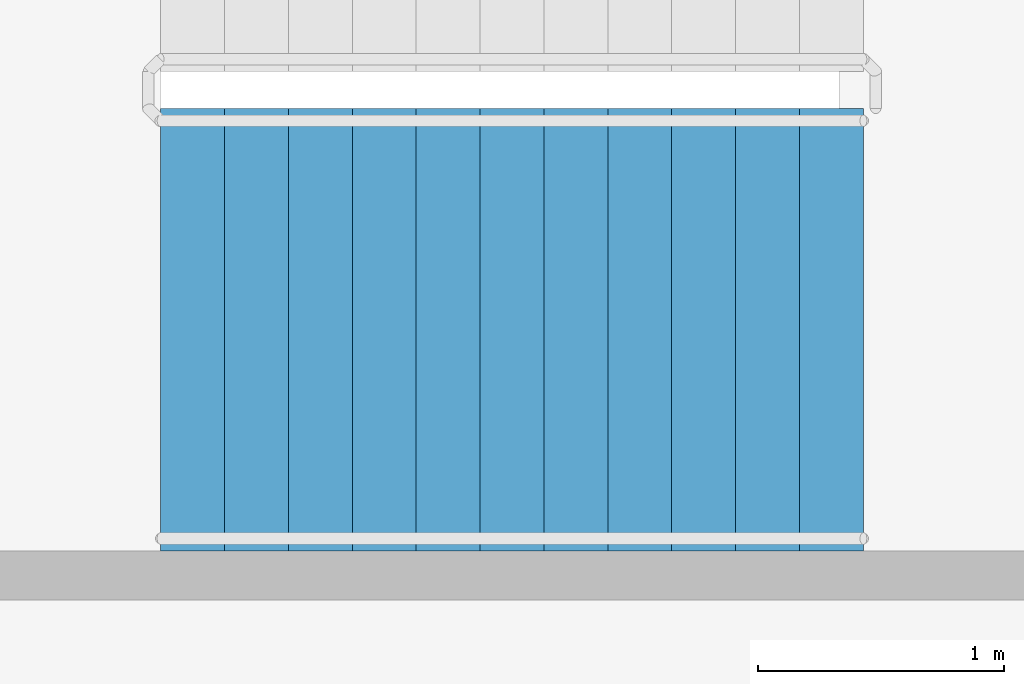
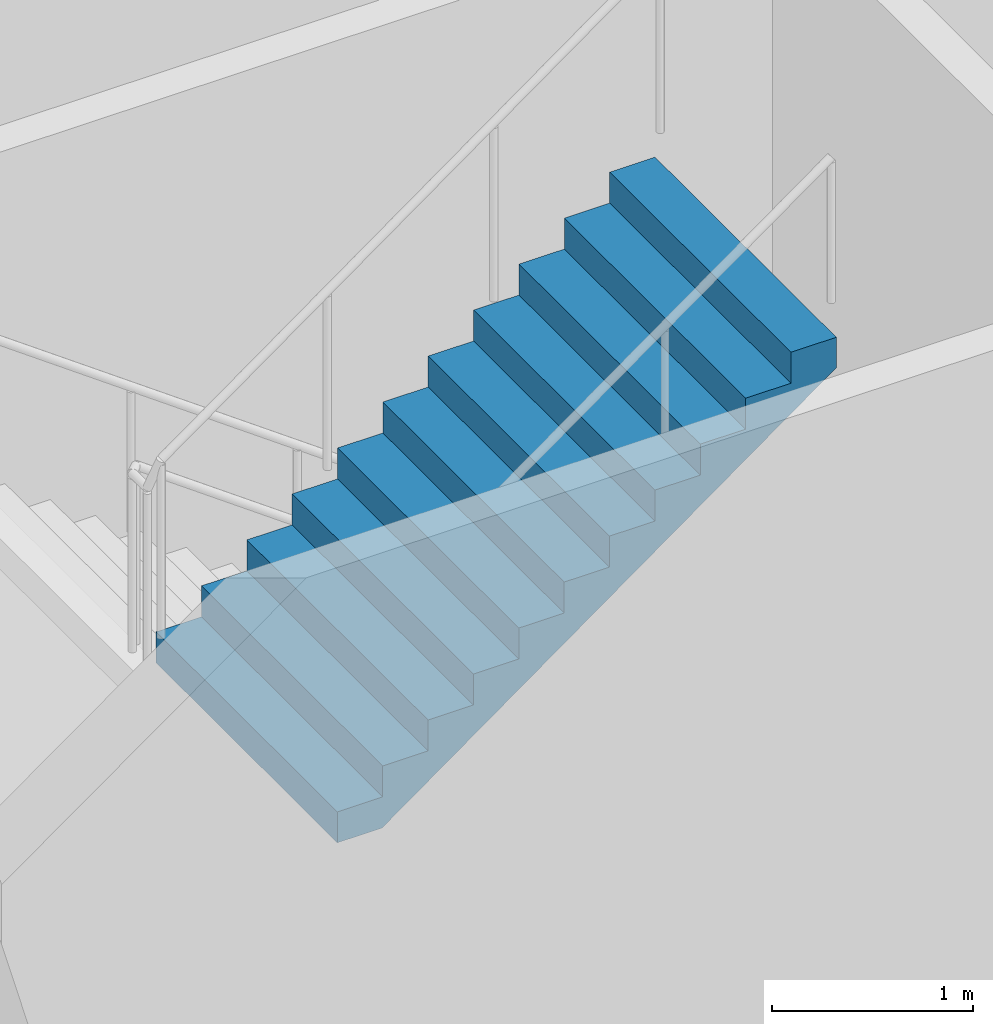
# One storey, part 40 of 49: 1 stair flight, 1 element without a shape of its own.
"""IFC4 building model written with IfcOpenShell, lengths in metres."""

from ifc_helpers import new_model, si_unit, direction, frame, origin, place, context, subcontext, project, spatial, faceted_brep, material, type_object, element, aggregate, save


model = new_model("IFC4")

# Units and contexts
model_context = context("Model", 3, precision=1e-05, world=origin(), true_north=direction((0.0, 1.0)))
body_context = subcontext(model_context, "Body", "Model", "MODEL_VIEW")
ifc_project = project(units=[si_unit("LENGTHUNIT", "METRE"), si_unit("AREAUNIT", "SQUARE_METRE"), si_unit("VOLUMEUNIT", "CUBIC_METRE"), si_unit("PLANEANGLEUNIT", "RADIAN"), si_unit("MASSUNIT", "GRAM", prefix="KILO")], contexts=[model_context])

# Site, building, storey
site_placement = place(None, origin())
site = spatial("IfcSite", under=ifc_project, at=site_placement, CompositionType="ELEMENT")
building_placement = place(site_placement, origin())
building = spatial("IfcBuilding", under=site, at=building_placement, Name="Ipe Terrace Towers", CompositionType="ELEMENT")
storey_placement = place(building_placement, frame((0.0, 0.0, 11.0)))
storey = spatial("IfcBuildingStorey", under=building, at=storey_placement, Name="L02", CompositionType="ELEMENT", Elevation=11.0)

# Stair, stair flight
ifc_material_1 = material(Name="Concrete C30/37", Category="concrete")
stair_type = type_object("IfcStairType", Name="Protected exit stair", PredefinedType="HALF_TURN_STAIR", material=ifc_material_1)
stair_placement = place(storey_placement, origin())
stair = element("IfcStair", 1, at=stair_placement, inside=storey, type_object=stair_type, Name="L02 Podium exit stair PS3", PredefinedType="HALF_TURN_STAIR")
ifc_material_2 = material(Name="Concrete C30/37", Category="concrete")
stair_flight_type = type_object("IfcStairFlightType", Name="Exit stair flight 1800", PredefinedType="STRAIGHT", material=ifc_material_2)
stair_flight_placement = place(storey_placement, frame((49.909912109375, 23.550048828125, 2.25), z_axis=(0.0, 0.0, 1.0), x_axis=(1.0, 0.0, 0.0)))
stair_flight = element("IfcStairFlight", 2, at=stair_flight_placement, type_object=stair_flight_type, Name="PS3 flight 2", NumberOfRisers=12, NumberOfTreads=11, PredefinedType="STRAIGHT", RiserHeight=0.1875, TreadLength=0.26, context=body_context, shape_type="Brep", body=[
    faceted_brep([(0.25634765625, -0.89990234375, 0.0), (2.860107421875, -0.89990234375, 1.877685546875), (2.860107421875, -0.89990234375, 2.0625), (2.60009765625, -0.89990234375, 2.0625), (2.60009765625, -0.89990234375, 1.875), (2.340087890625, -0.89990234375, 1.875), (2.340087890625, -0.89990234375, 1.6875), (2.080078125, -0.89990234375, 1.6875), (2.080078125, -0.89990234375, 1.5), (1.820068359375, -0.89990234375, 1.5), (1.820068359375, -0.89990234375, 1.3125), (1.56005859375, -0.89990234375, 1.3125), (1.56005859375, -0.89990234375, 1.125), (1.300048828125, -0.89990234375, 1.125), (1.300048828125, -0.89990234375, 0.9375), (1.0400390625, -0.89990234375, 0.9375), (1.0400390625, -0.89990234375, 0.75), (0.780029296875, -0.89990234375, 0.75), (0.780029296875, -0.89990234375, 0.5625), (0.52001953125, -0.89990234375, 0.5625), (0.52001953125, -0.89990234375, 0.375), (0.260009765625, -0.89990234375, 0.375), (0.260009765625, -0.89990234375, 0.1875), (0.0, -0.89990234375, 0.1875), (0.0, -0.89990234375, 0.0), (0.0, 0.89990234375, 0.0), (0.0, 0.89990234375, 0.1875), (0.260009765625, 0.89990234375, 0.1875), (0.260009765625, 0.89990234375, 0.375), (0.52001953125, 0.89990234375, 0.375), (0.52001953125, 0.89990234375, 0.5625), (0.780029296875, 0.89990234375, 0.5625), (0.780029296875, 0.89990234375, 0.75), (1.0400390625, 0.89990234375, 0.75), (1.0400390625, 0.89990234375, 0.9375), (1.300048828125, 0.89990234375, 0.9375), (1.300048828125, 0.89990234375, 1.125), (1.56005859375, 0.89990234375, 1.125), (1.56005859375, 0.89990234375, 1.3125), (1.820068359375, 0.89990234375, 1.3125), (1.820068359375, 0.89990234375, 1.5), (2.080078125, 0.89990234375, 1.5), (2.080078125, 0.89990234375, 1.6875), (2.340087890625, 0.89990234375, 1.6875), (2.340087890625, 0.89990234375, 1.875), (2.60009765625, 0.89990234375, 1.875), (2.60009765625, 0.89990234375, 2.0625), (2.860107421875, 0.89990234375, 2.0625), (2.860107421875, 0.89990234375, 1.877685546875), (0.25634765625, 0.89990234375, 0.0), (0.0, -0.300048828125, 0.1875), (0.0, -0.1201171875, 0.1875), (0.0, -0.06005859375, 0.1875), (0.0, -0.030029296875, 0.1875), (0.0, -0.010009765625, 0.1875), (0.0, 0.0, 0.1875), (0.0, 0.010009765625, 0.1875), (0.0, 0.030029296875, 0.1875), (0.0, 0.06005859375, 0.1875), (0.0, 0.1201171875, 0.1875), (0.0, 0.300048828125, 0.1875), (0.0, 0.300048828125, 0.0), (0.0, 0.1201171875, 0.0), (0.0, 0.06005859375, 0.0), (0.0, 0.030029296875, 0.0), (0.0, 0.010009765625, 0.0), (0.0, 0.0, 0.0), (0.0, -0.010009765625, 0.0), (0.0, -0.030029296875, 0.0), (0.0, -0.06005859375, 0.0), (0.0, -0.1201171875, 0.0), (0.0, -0.300048828125, 0.0), (0.260009765625, -0.300048828125, 0.1875), (0.260009765625, -0.1201171875, 0.1875), (0.260009765625, -0.06005859375, 0.1875), (0.260009765625, -0.030029296875, 0.1875), (0.260009765625, -0.010009765625, 0.1875), (0.260009765625, 0.0, 0.1875), (0.260009765625, 0.010009765625, 0.1875), (0.260009765625, 0.030029296875, 0.1875), (0.260009765625, 0.06005859375, 0.1875), (0.260009765625, 0.1201171875, 0.1875), (0.260009765625, 0.300048828125, 0.1875), (0.260009765625, -0.300048828125, 0.375), (0.260009765625, -0.1201171875, 0.375), (0.260009765625, -0.06005859375, 0.375), (0.260009765625, -0.030029296875, 0.375), (0.260009765625, -0.010009765625, 0.375), (0.260009765625, 0.0, 0.375), (0.260009765625, 0.010009765625, 0.375), (0.260009765625, 0.030029296875, 0.375), (0.260009765625, 0.06005859375, 0.375), (0.260009765625, 0.1201171875, 0.375), (0.260009765625, 0.300048828125, 0.375), (0.52001953125, -0.300048828125, 0.375), (0.52001953125, -0.1201171875, 0.375), (0.52001953125, -0.06005859375, 0.375), (0.52001953125, -0.030029296875, 0.375), (0.52001953125, -0.010009765625, 0.375), (0.52001953125, 0.0, 0.375), (0.52001953125, 0.010009765625, 0.375), (0.52001953125, 0.030029296875, 0.375), (0.52001953125, 0.06005859375, 0.375), (0.52001953125, 0.1201171875, 0.375), (0.52001953125, 0.300048828125, 0.375), (0.52001953125, -0.300048828125, 0.5625), (0.52001953125, -0.1201171875, 0.5625), (0.52001953125, -0.06005859375, 0.5625), (0.52001953125, -0.030029296875, 0.5625), (0.52001953125, -0.010009765625, 0.5625), (0.52001953125, 0.0, 0.5625), (0.52001953125, 0.010009765625, 0.5625), (0.52001953125, 0.030029296875, 0.5625), (0.52001953125, 0.06005859375, 0.5625), (0.52001953125, 0.1201171875, 0.5625), (0.52001953125, 0.300048828125, 0.5625), (0.780029296875, -0.300048828125, 0.5625), (0.780029296875, -0.1201171875, 0.5625), (0.780029296875, -0.06005859375, 0.5625), (0.780029296875, -0.030029296875, 0.5625), (0.780029296875, -0.010009765625, 0.5625), (0.780029296875, 0.0, 0.5625), (0.780029296875, 0.010009765625, 0.5625), (0.780029296875, 0.030029296875, 0.5625), (0.780029296875, 0.06005859375, 0.5625), (0.780029296875, 0.1201171875, 0.5625), (0.780029296875, 0.300048828125, 0.5625), (0.780029296875, -0.300048828125, 0.75), (0.780029296875, -0.1201171875, 0.75), (0.780029296875, -0.06005859375, 0.75), (0.780029296875, -0.030029296875, 0.75), (0.780029296875, -0.010009765625, 0.75), (0.780029296875, 0.0, 0.75), (0.780029296875, 0.010009765625, 0.75), (0.780029296875, 0.030029296875, 0.75), (0.780029296875, 0.06005859375, 0.75), (0.780029296875, 0.1201171875, 0.75), (0.780029296875, 0.300048828125, 0.75), (1.0400390625, -0.300048828125, 0.75), (1.0400390625, -0.1201171875, 0.75), (1.0400390625, -0.06005859375, 0.75), (1.0400390625, -0.030029296875, 0.75), (1.0400390625, -0.010009765625, 0.75), (1.0400390625, 0.0, 0.75), (1.0400390625, 0.010009765625, 0.75), (1.0400390625, 0.030029296875, 0.75), (1.0400390625, 0.06005859375, 0.75), (1.0400390625, 0.1201171875, 0.75), (1.0400390625, 0.300048828125, 0.75), (1.0400390625, -0.300048828125, 0.9375), (1.0400390625, -0.1201171875, 0.9375), (1.0400390625, -0.06005859375, 0.9375), (1.0400390625, -0.030029296875, 0.9375), (1.0400390625, -0.010009765625, 0.9375), (1.0400390625, 0.0, 0.9375), (1.0400390625, 0.010009765625, 0.9375), (1.0400390625, 0.030029296875, 0.9375), (1.0400390625, 0.06005859375, 0.9375), (1.0400390625, 0.1201171875, 0.9375), (1.0400390625, 0.300048828125, 0.9375), (1.300048828125, -0.300048828125, 0.9375), (1.300048828125, -0.1201171875, 0.9375), (1.300048828125, -0.06005859375, 0.9375), (1.300048828125, -0.030029296875, 0.9375), (1.300048828125, -0.010009765625, 0.9375), (1.300048828125, 0.0, 0.9375), (1.300048828125, 0.010009765625, 0.9375), (1.300048828125, 0.030029296875, 0.9375), (1.300048828125, 0.06005859375, 0.9375), (1.300048828125, 0.1201171875, 0.9375), (1.300048828125, 0.300048828125, 0.9375), (1.300048828125, -0.300048828125, 1.125), (1.300048828125, -0.1201171875, 1.125), (1.300048828125, -0.06005859375, 1.125), (1.300048828125, -0.030029296875, 1.125), (1.300048828125, -0.010009765625, 1.125), (1.300048828125, 0.0, 1.125), (1.300048828125, 0.010009765625, 1.125), (1.300048828125, 0.030029296875, 1.125), (1.300048828125, 0.06005859375, 1.125), (1.300048828125, 0.1201171875, 1.125), (1.300048828125, 0.300048828125, 1.125), (1.56005859375, -0.300048828125, 1.125), (1.56005859375, -0.1201171875, 1.125), (1.56005859375, -0.06005859375, 1.125), (1.56005859375, -0.030029296875, 1.125), (1.56005859375, -0.010009765625, 1.125), (1.56005859375, 0.0, 1.125), (1.56005859375, 0.010009765625, 1.125), (1.56005859375, 0.030029296875, 1.125), (1.56005859375, 0.06005859375, 1.125), (1.56005859375, 0.1201171875, 1.125), (1.56005859375, 0.300048828125, 1.125), (1.56005859375, -0.300048828125, 1.3125), (1.56005859375, -0.1201171875, 1.3125), (1.56005859375, -0.06005859375, 1.3125), (1.56005859375, -0.030029296875, 1.3125), (1.56005859375, -0.010009765625, 1.3125), (1.56005859375, 0.0, 1.3125), (1.56005859375, 0.010009765625, 1.3125), (1.56005859375, 0.030029296875, 1.3125), (1.56005859375, 0.06005859375, 1.3125), (1.56005859375, 0.1201171875, 1.3125), (1.56005859375, 0.300048828125, 1.3125), (1.820068359375, -0.300048828125, 1.3125), (1.820068359375, -0.1201171875, 1.3125), (1.820068359375, -0.06005859375, 1.3125), (1.820068359375, -0.030029296875, 1.3125), (1.820068359375, -0.010009765625, 1.3125), (1.820068359375, 0.0, 1.3125), (1.820068359375, 0.010009765625, 1.3125), (1.820068359375, 0.030029296875, 1.3125), (1.820068359375, 0.06005859375, 1.3125), (1.820068359375, 0.1201171875, 1.3125), (1.820068359375, 0.300048828125, 1.3125), (1.820068359375, -0.300048828125, 1.5), (1.820068359375, -0.1201171875, 1.5), (1.820068359375, -0.06005859375, 1.5), (1.820068359375, -0.030029296875, 1.5), (1.820068359375, -0.010009765625, 1.5), (1.820068359375, 0.0, 1.5), (1.820068359375, 0.010009765625, 1.5), (1.820068359375, 0.030029296875, 1.5), (1.820068359375, 0.06005859375, 1.5), (1.820068359375, 0.1201171875, 1.5), (1.820068359375, 0.300048828125, 1.5), (2.080078125, -0.300048828125, 1.5), (2.080078125, -0.1201171875, 1.5), (2.080078125, -0.06005859375, 1.5), (2.080078125, -0.030029296875, 1.5), (2.080078125, -0.010009765625, 1.5), (2.080078125, 0.0, 1.5), (2.080078125, 0.010009765625, 1.5), (2.080078125, 0.030029296875, 1.5), (2.080078125, 0.06005859375, 1.5), (2.080078125, 0.1201171875, 1.5), (2.080078125, 0.300048828125, 1.5), (2.080078125, -0.300048828125, 1.6875), (2.080078125, -0.1201171875, 1.6875), (2.080078125, -0.06005859375, 1.6875), (2.080078125, -0.030029296875, 1.6875), (2.080078125, -0.010009765625, 1.6875), (2.080078125, 0.0, 1.6875), (2.080078125, 0.010009765625, 1.6875), (2.080078125, 0.030029296875, 1.6875), (2.080078125, 0.06005859375, 1.6875), (2.080078125, 0.1201171875, 1.6875), (2.080078125, 0.300048828125, 1.6875), (2.340087890625, -0.300048828125, 1.6875), (2.340087890625, -0.1201171875, 1.6875), (2.340087890625, -0.06005859375, 1.6875), (2.340087890625, -0.030029296875, 1.6875), (2.340087890625, -0.010009765625, 1.6875), (2.340087890625, 0.0, 1.6875), (2.340087890625, 0.010009765625, 1.6875), (2.340087890625, 0.030029296875, 1.6875), (2.340087890625, 0.06005859375, 1.6875), (2.340087890625, 0.1201171875, 1.6875), (2.340087890625, 0.300048828125, 1.6875), (2.340087890625, -0.300048828125, 1.875), (2.340087890625, -0.1201171875, 1.875), (2.340087890625, -0.06005859375, 1.875), (2.340087890625, -0.030029296875, 1.875), (2.340087890625, -0.010009765625, 1.875), (2.340087890625, 0.0, 1.875), (2.340087890625, 0.010009765625, 1.875), (2.340087890625, 0.030029296875, 1.875), (2.340087890625, 0.06005859375, 1.875), (2.340087890625, 0.1201171875, 1.875), (2.340087890625, 0.300048828125, 1.875), (2.60009765625, -0.300048828125, 1.875), (2.60009765625, -0.1201171875, 1.875), (2.60009765625, -0.06005859375, 1.875), (2.60009765625, -0.030029296875, 1.875), (2.60009765625, -0.010009765625, 1.875), (2.60009765625, 0.0, 1.875), (2.60009765625, 0.010009765625, 1.875), (2.60009765625, 0.030029296875, 1.875), (2.60009765625, 0.06005859375, 1.875), (2.60009765625, 0.1201171875, 1.875), (2.60009765625, 0.300048828125, 1.875), (2.60009765625, -0.300048828125, 2.0625), (2.60009765625, -0.1201171875, 2.0625), (2.60009765625, -0.06005859375, 2.0625), (2.60009765625, -0.030029296875, 2.0625), (2.60009765625, -0.010009765625, 2.0625), (2.60009765625, 0.0, 2.0625), (2.60009765625, 0.010009765625, 2.0625), (2.60009765625, 0.030029296875, 2.0625), (2.60009765625, 0.06005859375, 2.0625), (2.60009765625, 0.1201171875, 2.0625), (2.60009765625, 0.300048828125, 2.0625), (2.860107421875, -0.300048828125, 2.0625), (2.860107421875, -0.1201171875, 2.0625), (2.860107421875, -0.06005859375, 2.0625), (2.860107421875, -0.030029296875, 2.0625), (2.860107421875, -0.010009765625, 2.0625), (2.860107421875, 0.0, 2.0625), (2.860107421875, 0.010009765625, 2.0625), (2.860107421875, 0.030029296875, 2.0625), (2.860107421875, 0.06005859375, 2.0625), (2.860107421875, 0.1201171875, 2.0625), (2.860107421875, 0.300048828125, 2.0625), (2.860107421875, -0.300048828125, 1.877685546875), (2.860107421875, -0.1201171875, 1.877685546875), (2.860107421875, -0.06005859375, 1.877685546875), (2.860107421875, -0.030029296875, 1.877685546875), (2.860107421875, -0.010009765625, 1.877685546875), (2.860107421875, 0.0, 1.877685546875), (2.860107421875, 0.010009765625, 1.877685546875), (2.860107421875, 0.030029296875, 1.877685546875), (2.860107421875, 0.06005859375, 1.877685546875), (2.860107421875, 0.1201171875, 1.877685546875), (2.860107421875, 0.300048828125, 1.877685546875), (0.25634765625, -0.300048828125, 0.0), (0.25634765625, -0.1201171875, 0.0), (0.25634765625, -0.06005859375, 0.0), (0.25634765625, -0.030029296875, 0.0), (0.25634765625, -0.010009765625, 0.0), (0.25634765625, 0.0, 0.0), (0.25634765625, 0.010009765625, 0.0), (0.25634765625, 0.030029296875, 0.0), (0.25634765625, 0.06005859375, 0.0), (0.25634765625, 0.1201171875, 0.0), (0.25634765625, 0.300048828125, 0.0)], [[[0, 1, 2, 3, 4, 5, 6, 7, 8, 9, 10, 11, 12, 13, 14, 15, 16, 17, 18, 19, 20, 21, 22, 23, 24]], [[25, 26, 27, 28, 29, 30, 31, 32, 33, 34, 35, 36, 37, 38, 39, 40, 41, 42, 43, 44, 45, 46, 47, 48, 49]], [[23, 50, 51, 52, 53, 54, 55, 56, 57, 58, 59, 60, 26, 25, 61, 62, 63, 64, 65, 66, 67, 68, 69, 70, 71, 24]], [[22, 72, 73, 74, 75, 76, 77, 78, 79, 80, 81, 82, 27, 26, 60, 59, 58, 57, 56, 55, 54, 53, 52, 51, 50, 23]], [[21, 83, 84, 85, 86, 87, 88, 89, 90, 91, 92, 93, 28, 27, 82, 81, 80, 79, 78, 77, 76, 75, 74, 73, 72, 22]], [[20, 94, 95, 96, 97, 98, 99, 100, 101, 102, 103, 104, 29, 28, 93, 92, 91, 90, 89, 88, 87, 86, 85, 84, 83, 21]], [[19, 105, 106, 107, 108, 109, 110, 111, 112, 113, 114, 115, 30, 29, 104, 103, 102, 101, 100, 99, 98, 97, 96, 95, 94, 20]], [[18, 116, 117, 118, 119, 120, 121, 122, 123, 124, 125, 126, 31, 30, 115, 114, 113, 112, 111, 110, 109, 108, 107, 106, 105, 19]], [[17, 127, 128, 129, 130, 131, 132, 133, 134, 135, 136, 137, 32, 31, 126, 125, 124, 123, 122, 121, 120, 119, 118, 117, 116, 18]], [[16, 138, 139, 140, 141, 142, 143, 144, 145, 146, 147, 148, 33, 32, 137, 136, 135, 134, 133, 132, 131, 130, 129, 128, 127, 17]], [[15, 149, 150, 151, 152, 153, 154, 155, 156, 157, 158, 159, 34, 33, 148, 147, 146, 145, 144, 143, 142, 141, 140, 139, 138, 16]], [[14, 160, 161, 162, 163, 164, 165, 166, 167, 168, 169, 170, 35, 34, 159, 158, 157, 156, 155, 154, 153, 152, 151, 150, 149, 15]], [[13, 171, 172, 173, 174, 175, 176, 177, 178, 179, 180, 181, 36, 35, 170, 169, 168, 167, 166, 165, 164, 163, 162, 161, 160, 14]], [[12, 182, 183, 184, 185, 186, 187, 188, 189, 190, 191, 192, 37, 36, 181, 180, 179, 178, 177, 176, 175, 174, 173, 172, 171, 13]], [[11, 193, 194, 195, 196, 197, 198, 199, 200, 201, 202, 203, 38, 37, 192, 191, 190, 189, 188, 187, 186, 185, 184, 183, 182, 12]], [[10, 204, 205, 206, 207, 208, 209, 210, 211, 212, 213, 214, 39, 38, 203, 202, 201, 200, 199, 198, 197, 196, 195, 194, 193, 11]], [[9, 215, 216, 217, 218, 219, 220, 221, 222, 223, 224, 225, 40, 39, 214, 213, 212, 211, 210, 209, 208, 207, 206, 205, 204, 10]], [[8, 226, 227, 228, 229, 230, 231, 232, 233, 234, 235, 236, 41, 40, 225, 224, 223, 222, 221, 220, 219, 218, 217, 216, 215, 9]], [[7, 237, 238, 239, 240, 241, 242, 243, 244, 245, 246, 247, 42, 41, 236, 235, 234, 233, 232, 231, 230, 229, 228, 227, 226, 8]], [[6, 248, 249, 250, 251, 252, 253, 254, 255, 256, 257, 258, 43, 42, 247, 246, 245, 244, 243, 242, 241, 240, 239, 238, 237, 7]], [[5, 259, 260, 261, 262, 263, 264, 265, 266, 267, 268, 269, 44, 43, 258, 257, 256, 255, 254, 253, 252, 251, 250, 249, 248, 6]], [[4, 270, 271, 272, 273, 274, 275, 276, 277, 278, 279, 280, 45, 44, 269, 268, 267, 266, 265, 264, 263, 262, 261, 260, 259, 5]], [[3, 281, 282, 283, 284, 285, 286, 287, 288, 289, 290, 291, 46, 45, 280, 279, 278, 277, 276, 275, 274, 273, 272, 271, 270, 4]], [[2, 292, 293, 294, 295, 296, 297, 298, 299, 300, 301, 302, 47, 46, 291, 290, 289, 288, 287, 286, 285, 284, 283, 282, 281, 3]], [[1, 303, 304, 305, 306, 307, 308, 309, 310, 311, 312, 313, 48, 47, 302, 301, 300, 299, 298, 297, 296, 295, 294, 293, 292, 2]], [[0, 314, 315, 316, 317, 318, 319, 320, 321, 322, 323, 324, 49, 48, 313, 312, 311, 310, 309, 308, 307, 306, 305, 304, 303, 1]], [[24, 71, 70, 69, 68, 67, 66, 65, 64, 63, 62, 61, 25, 49, 324, 323, 322, 321, 320, 319, 318, 317, 316, 315, 314, 0]]]),
])
aggregate(stair, [stair_flight])

save(model, "model.ifc")
